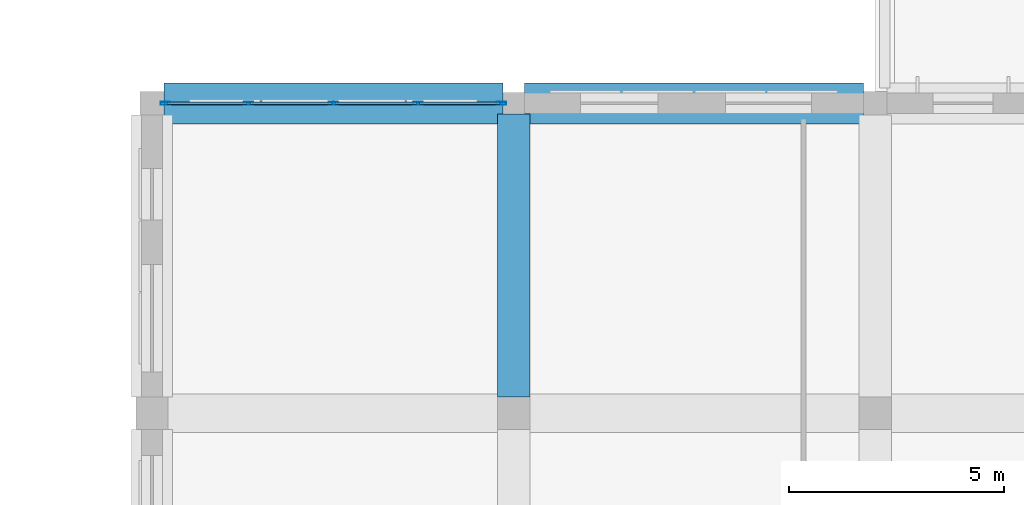
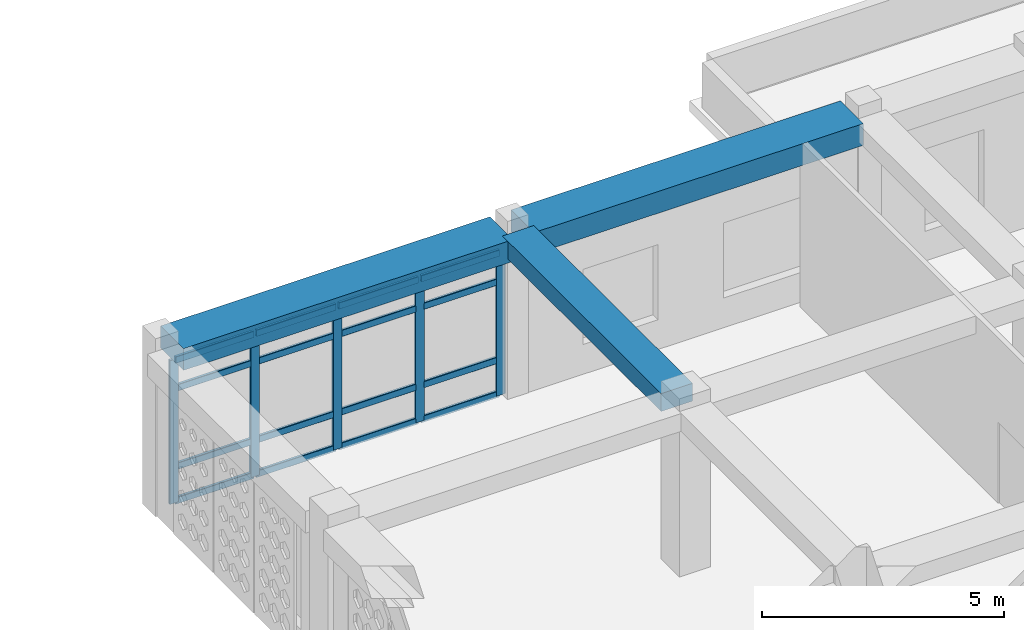
# One storey, part 35 of 111: 21 members, 3 beams, 1 element without a shape of its own.
"""IFC4 building model written with IfcOpenShell, lengths in metres."""

import ifcopenshell
import ifcopenshell.guid

model = None  # the IFC model being written
_history = None  # IfcOwnerHistory: only IFC2X3 demands one
_inside = {}  # id of a spatial element -> (the spatial element, [elements in it])
_under = {}  # id of a project, library or spatial element -> (it, [spatial elements below it])
_declared = {}  # id of a project -> (the project, [libraries it declares])
_typed = {}  # id of a type object -> (the type object, [elements of that type])
_made_of = {}  # id of a material, layer set ... -> (it, [elements and type objects made of it])


def new_model(schema):
    """Start an empty IFC model of exactly this schema.

    Asked for "IFC4X3", IfcOpenShell would pick the latest addendum, in which some entities
    have other attributes; the version numbers below select the first issue.
    IFC2X3 requires an IfcOwnerHistory on every rooted entity: one is made here for all.
    """
    global model, _history
    if schema == "IFC4X3":
        model = ifcopenshell.file(schema_version=(4, 3, 0, 0))
    else:
        model = ifcopenshell.file(schema=schema)
    _inside.clear()
    _under.clear()
    _declared.clear()
    _typed.clear()
    _made_of.clear()
    _history = None
    if model.schema == "IFC2X3":
        org = make("IfcOrganization", Name="unknown")
        user = make(
            "IfcPersonAndOrganization",
            ThePerson=make("IfcPerson", FamilyName="unknown"),
            TheOrganization=org,
        )
        app = make(
            "IfcApplication",
            ApplicationDeveloper=org,
            Version="unknown",
            ApplicationFullName="unknown",
            ApplicationIdentifier="unknown",
        )
        _history = make(
            "IfcOwnerHistory",
            OwningUser=user,
            OwningApplication=app,
            ChangeAction="ADDED",
            CreationDate=0,
        )
    return model


def make(cls, **values):
    """One entity of the class cls with the attributes given. An attribute that is None is left unset."""
    return model.create_entity(
        cls, **{name: value for name, value in values.items() if value is not None}
    )


def rooted(cls, **values):
    """An entity with a GlobalId (a new one), such as an element, a storey or a relation."""
    return make(cls, GlobalId=ifcopenshell.guid.new(), OwnerHistory=_history, **values)


def si_unit(unit_type, name, prefix=None):
    """IfcSIUnit, for example si_unit("LENGTHUNIT", "METRE", prefix="MILLI")."""
    return make("IfcSIUnit", UnitType=unit_type, Prefix=prefix, Name=name)


def derived_unit(unit_type, elements):
    """IfcDerivedUnit: a product of units, each with its exponent."""
    return make(
        "IfcDerivedUnit",
        Elements=[
            make("IfcDerivedUnitElement", Unit=unit, Exponent=power)
            for unit, power in elements
        ],
        UnitType=unit_type,
    )


def assignment(units):
    """IfcUnitAssignment: the units of a project."""
    return None if units is None else make("IfcUnitAssignment", Units=units)


def point(xyz):
    """IfcCartesianPoint."""
    return None if xyz is None else make("IfcCartesianPoint", Coordinates=xyz)


def direction(xyz):
    """IfcDirection."""
    return None if xyz is None else make("IfcDirection", DirectionRatios=xyz)


def frame(location, z_axis=None, x_axis=None):
    """IfcAxis2Placement3D, a coordinate frame: its origin and axes. An axis left out is left unset."""
    return make(
        "IfcAxis2Placement3D",
        Location=point(location),
        Axis=direction(z_axis),
        RefDirection=direction(x_axis),
    )


def frame_2d(location, x_axis=None):
    """IfcAxis2Placement2D, a coordinate frame in the plane: its origin and x axis."""
    return make(
        "IfcAxis2Placement2D", Location=point(location), RefDirection=direction(x_axis)
    )


def origin():
    """The frame at (0, 0, 0) with its axes left unset."""
    return frame((0.0, 0.0, 0.0))


def origin_2d():
    """The frame at (0, 0) in the plane with its x axis left unset."""
    return frame_2d((0.0, 0.0))


def place(relative_to, where):
    """IfcLocalPlacement: puts the frame where relative to a parent placement (None: the world)."""
    return make(
        "IfcLocalPlacement", PlacementRelTo=relative_to, RelativePlacement=where
    )


def context(
    kind, dimensions, precision=None, world=None, true_north=None, identifier=None
):
    """IfcGeometricRepresentationContext, for example the 3D "Model" context."""
    return make(
        "IfcGeometricRepresentationContext",
        ContextIdentifier=identifier,
        ContextType=kind,
        CoordinateSpaceDimension=dimensions,
        Precision=precision,
        WorldCoordinateSystem=world,
        TrueNorth=true_north,
    )


def subcontext(parent, identifier, kind, view, scale=None):
    """IfcGeometricRepresentationSubContext, for example "Body" below "Model"."""
    return make(
        "IfcGeometricRepresentationSubContext",
        ContextIdentifier=identifier,
        ContextType=kind,
        ParentContext=parent,
        TargetScale=scale,
        TargetView=view,
    )


def project(units=None, contexts=None):
    """IfcProject with its units and contexts."""
    return rooted(
        "IfcProject",
        Name="project",
        RepresentationContexts=contexts,
        UnitsInContext=assignment(units),
    )


def spatial(cls, under=None, at=None, **own):
    """A site, building, storey or space (cls), placed at a placement, below another one or the project."""
    s = rooted(cls, ObjectPlacement=at, **own)
    if under is not None:
        _under.setdefault(under.id(), (under, []))[1].append(s)
    return s


def profile(cls, at=None, kind="AREA", **sizes):
    """A parametric profile (cls). Its sizes go by their IFC names, for example OverallWidth=200.0."""
    return make(cls, ProfileType=kind, Position=at, **sizes)


def rectangle(**sizes):
    """IfcRectangleProfileDef."""
    return profile("IfcRectangleProfileDef", **sizes)


def hollow_rectangle(**sizes):
    """IfcRectangleHollowProfileDef."""
    return profile("IfcRectangleHollowProfileDef", **sizes)


def extrude(swept, where, along, depth):
    """IfcExtrudedAreaSolid: the profile swept, set in the frame where, extruded along a direction by depth."""
    return make(
        "IfcExtrudedAreaSolid",
        SweptArea=swept,
        Position=where,
        ExtrudedDirection=direction(along),
        Depth=depth,
    )


def shape(context_of_items, identifier, shape_type, items):
    """IfcShapeRepresentation: the items that make up one representation, for example the "Body"."""
    return make(
        "IfcShapeRepresentation",
        ContextOfItems=context_of_items,
        RepresentationIdentifier=identifier,
        RepresentationType=shape_type,
        Items=items,
    )


def material(Name=None, Category=None):
    """IfcMaterial."""
    return make("IfcMaterial", Name=Name, Category=Category)


def material_profile(
    of_material, cross_section, Name=None, Category=None, Priority=None
):
    """IfcMaterialProfile: a cross section and its material."""
    return make(
        "IfcMaterialProfile",
        Name=Name,
        Material=of_material,
        Profile=cross_section,
        Priority=Priority,
        Category=Category,
    )


def profile_set(profiles, Name=None, composite=None):
    """IfcMaterialProfileSet."""
    return make(
        "IfcMaterialProfileSet",
        Name=Name,
        MaterialProfiles=profiles,
        CompositeProfile=composite,
    )


def made_of(thing, what):
    """Note that an element or type object is made of a material, layer set ...; save() writes the relation."""
    if what is not None:
        _made_of.setdefault(what.id(), (what, []))[1].append(thing)
    return thing


def type_object(cls, material=None, **own):
    """A type object (cls), such as IfcWallType, which elements share."""
    return made_of(rooted(cls, **own), material)


def element(
    cls,
    number,
    at=None,
    inside=None,
    cuts=None,
    type_object=None,
    material=None,
    context=None,
    identifier="Body",
    shape_type=None,
    held_by="IfcProductDefinitionShape",
    body=None,
    shapes=None,
    **own,
):
    """One element of the class cls, such as IfcWall. Its Tag is "e" and its number.

    at: its placement. inside: the storey or other place that contains it. cuts: it is an
    opening in that element (IfcRelVoidsElement). A single representation is given by context,
    identifier, shape_type and body (its items); several are given by shapes. held_by: the class
    of the entity that holds the representations. save() writes the other relations.
    """
    e = rooted(cls, Tag="e%d" % number, ObjectPlacement=at, **own)
    if body is not None:
        shapes = [shape(context, identifier, shape_type, body)]
    if shapes is not None:
        e.Representation = make(held_by, Representations=shapes)
    if inside is not None:
        _inside.setdefault(inside.id(), (inside, []))[1].append(e)
    if cuts is not None:
        rooted(
            "IfcRelVoidsElement", RelatingBuildingElement=cuts, RelatedOpeningElement=e
        )
    if type_object is not None:
        _typed.setdefault(type_object.id(), (type_object, []))[1].append(e)
    return made_of(e, material)


def aggregate(whole, parts):
    """IfcRelAggregates: a whole, such as a stair, and the parts it consists of."""
    return rooted("IfcRelAggregates", RelatingObject=whole, RelatedObjects=parts)


def save(model, path):
    """Write the relations noted so far, then the file.

    IfcRelAggregates (storeys below a building ...), IfcRelContainedInSpatialStructure (elements
    in a storey), IfcRelDefinesByType, IfcRelAssociatesMaterial and IfcRelDeclares: one each for
    every whole, place, type object, material and project.
    """
    for whole, parts in _under.values():
        aggregate(whole, parts)
    for where, things in _inside.values():
        rooted(
            "IfcRelContainedInSpatialStructure",
            RelatedElements=things,
            RelatingStructure=where,
        )
    for kind, things in _typed.values():
        rooted("IfcRelDefinesByType", RelatedObjects=things, RelatingType=kind)
    for what, things in _made_of.values():
        rooted("IfcRelAssociatesMaterial", RelatedObjects=things, RelatingMaterial=what)
    for by, libraries in _declared.values():
        rooted("IfcRelDeclares", RelatingContext=by, RelatedDefinitions=libraries)
    model.write(path)


model = new_model("IFC4")

# Units and contexts
model_context = context("Model", 3, precision=1e-05, world=origin(), true_north=direction((0.0, 1.0)))
body_context = subcontext(model_context, "Body", "Model", "MODEL_VIEW")
ifc_project = project(units=[si_unit("LENGTHUNIT", "METRE"), si_unit("AREAUNIT", "SQUARE_METRE"), si_unit("VOLUMEUNIT", "CUBIC_METRE"), si_unit("PLANEANGLEUNIT", "RADIAN"), si_unit("MASSUNIT", "GRAM", prefix="KILO"), derived_unit("THERMALTRANSMITTANCEUNIT", [(si_unit("POWERUNIT", "WATT"), 1), (si_unit("LENGTHUNIT", "METRE"), -2), (si_unit("THERMODYNAMICTEMPERATUREUNIT", "KELVIN"), -1)])], contexts=[model_context])

# Site, building, storey
site_placement = place(None, origin())
site = spatial("IfcSite", under=ifc_project, at=site_placement, CompositionType="ELEMENT")
building_placement = place(site_placement, origin())
building = spatial("IfcBuilding", under=site, at=building_placement, Name="Veybourne Emporium", CompositionType="ELEMENT")
storey_placement = place(building_placement, frame((0.0, 0.0, 9.89990234375)))
storey = spatial("IfcBuildingStorey", under=building, at=storey_placement, Name="L02", CompositionType="ELEMENT", Elevation=9.89990234375)

# Curtain wall, members
ifc_material_1 = material(Name="Patinated Architectural Bronze", Category="bronze")
curtain_wall_type = type_object("IfcCurtainWallType", Name="CWSystem_CWS-12", PredefinedType="NOTDEFINED", material=ifc_material_1)
curtain_wall_placement = place(storey_placement, origin())
curtain_wall = element("IfcCurtainWall", 1, at=curtain_wall_placement, inside=storey, type_object=curtain_wall_type, Name="L02 bronze glazed curtain wall CWS-12 (024)", PredefinedType="NOTDEFINED")
ifc_material_profile_1 = material_profile(ifc_material_1, hollow_rectangle(XDim=0.070068359375, YDim=0.219970703125, WallThickness=0.0048828125, InnerFilletRadius=0.007568359375, OuterFilletRadius=0.012451171875, at=origin_2d()), Name="CWM 70x220x5")
ifc_profile_set_1 = profile_set([ifc_material_profile_1], Name="Patinated Architectural Bronze")
member_type_1 = type_object("IfcMemberType", Name="CWMullion_CW-M4", PredefinedType="MULLION", material=ifc_profile_set_1)
member_1_placement = place(storey_placement, frame((33.909912109375, 108.0, 0.0), z_axis=(0.0, 0.0, 1.0), x_axis=(0.0, 1.0, 0.0)))
member_1 = element("IfcMember", 2, at=member_1_placement, type_object=member_type_1, Name="CWS-12 mullion 1", PredefinedType="MULLION", context=body_context, shape_type="SweptSolid", body=[
    extrude(hollow_rectangle(XDim=0.070068359375, YDim=0.219970703125, WallThickness=0.0048828125, InnerFilletRadius=0.007568359375, OuterFilletRadius=0.012451171875, at=origin_2d()), origin(), (0.0, 0.0, 1.0), 3.630126953125),
])
member_2_placement = place(storey_placement, frame((35.84375, 108.0, 0.0), z_axis=(0.0, 0.0, 1.0), x_axis=(0.0, 1.0, 0.0)))
member_2 = element("IfcMember", 3, at=member_2_placement, type_object=member_type_1, Name="CWS-12 mullion 2", PredefinedType="MULLION", context=body_context, shape_type="SweptSolid", body=[
    extrude(hollow_rectangle(XDim=0.070068359375, YDim=0.219970703125, WallThickness=0.0048828125, InnerFilletRadius=0.007568359375, OuterFilletRadius=0.012451171875, at=origin_2d()), origin(), (0.0, 0.0, 1.0), 3.630126953125),
])
member_3_placement = place(storey_placement, frame((37.8125, 108.0, 0.0), z_axis=(0.0, 0.0, 1.0), x_axis=(0.0, 1.0, 0.0)))
member_3 = element("IfcMember", 4, at=member_3_placement, type_object=member_type_1, Name="CWS-12 mullion 3", PredefinedType="MULLION", context=body_context, shape_type="SweptSolid", body=[
    extrude(hollow_rectangle(XDim=0.070068359375, YDim=0.219970703125, WallThickness=0.0048828125, InnerFilletRadius=0.007568359375, OuterFilletRadius=0.012451171875, at=origin_2d()), origin(), (0.0, 0.0, 1.0), 3.630126953125),
])
member_4_placement = place(storey_placement, frame((39.78125, 108.0, 0.0), z_axis=(0.0, 0.0, 1.0), x_axis=(0.0, 1.0, 0.0)))
member_4 = element("IfcMember", 5, at=member_4_placement, type_object=member_type_1, Name="CWS-12 mullion 4", PredefinedType="MULLION", context=body_context, shape_type="SweptSolid", body=[
    extrude(hollow_rectangle(XDim=0.070068359375, YDim=0.219970703125, WallThickness=0.0048828125, InnerFilletRadius=0.007568359375, OuterFilletRadius=0.012451171875, at=origin_2d()), origin(), (0.0, 0.0, 1.0), 3.630126953125),
])
member_5_placement = place(storey_placement, frame((41.715087890625, 108.0, 0.0), z_axis=(0.0, 0.0, 1.0), x_axis=(0.0, 1.0, 0.0)))
member_5 = element("IfcMember", 6, at=member_5_placement, type_object=member_type_1, Name="CWS-12 mullion 5", PredefinedType="MULLION", context=body_context, shape_type="SweptSolid", body=[
    extrude(hollow_rectangle(XDim=0.070068359375, YDim=0.219970703125, WallThickness=0.0048828125, InnerFilletRadius=0.007568359375, OuterFilletRadius=0.012451171875, at=origin_2d()), origin(), (0.0, 0.0, 1.0), 3.630126953125),
])
ifc_material_profile_2 = material_profile(ifc_material_1, hollow_rectangle(XDim=0.070068359375, YDim=0.169921875, WallThickness=0.0048828125, InnerFilletRadius=0.007568359375, OuterFilletRadius=0.012451171875, at=origin_2d()), Name="CWT 70x170x5")
ifc_profile_set_2 = profile_set([ifc_material_profile_2], Name="Patinated Architectural Bronze")
member_type_2 = type_object("IfcMemberType", Name="CWTransom_CW-T4", PredefinedType="NOTDEFINED", material=ifc_profile_set_2)
member_6_placement = place(storey_placement, frame((33.945068359375, 108.0, 0.03515625), z_axis=(1.0, 0.0, 0.0), x_axis=(0.0, 1.0, 0.0)))
member_6 = element("IfcMember", 7, at=member_6_placement, type_object=member_type_2, Name="CWS-12 transom 1.1", ObjectType="TRANSOM", PredefinedType="USERDEFINED", context=body_context, shape_type="SweptSolid", body=[
    extrude(hollow_rectangle(XDim=0.070068359375, YDim=0.169921875, WallThickness=0.0048828125, InnerFilletRadius=0.007568359375, OuterFilletRadius=0.012451171875, at=origin_2d()), origin(), (0.0, 0.0, 1.0), 1.86376953125),
])
member_7_placement = place(storey_placement, frame((33.945068359375, 108.0, 0.900146484375), z_axis=(1.0, 0.0, 0.0), x_axis=(0.0, 1.0, 0.0)))
member_7 = element("IfcMember", 8, at=member_7_placement, type_object=member_type_2, Name="CWS-12 transom 1.2", ObjectType="TRANSOM", PredefinedType="USERDEFINED", context=body_context, shape_type="SweptSolid", body=[
    extrude(hollow_rectangle(XDim=0.070068359375, YDim=0.169921875, WallThickness=0.0048828125, InnerFilletRadius=0.007568359375, OuterFilletRadius=0.012451171875, at=origin_2d()), origin(), (0.0, 0.0, 1.0), 1.86376953125),
])
member_8_placement = place(storey_placement, frame((33.945068359375, 108.0, 2.880126953125), z_axis=(1.0, 0.0, 0.0), x_axis=(0.0, 1.0, 0.0)))
member_8 = element("IfcMember", 9, at=member_8_placement, type_object=member_type_2, Name="CWS-12 transom 1.3", ObjectType="TRANSOM", PredefinedType="USERDEFINED", context=body_context, shape_type="SweptSolid", body=[
    extrude(hollow_rectangle(XDim=0.070068359375, YDim=0.169921875, WallThickness=0.0048828125, InnerFilletRadius=0.007568359375, OuterFilletRadius=0.012451171875, at=origin_2d()), origin(), (0.0, 0.0, 1.0), 1.86376953125),
])
member_9_placement = place(storey_placement, frame((33.945068359375, 108.0, 3.59521484375), z_axis=(1.0, 0.0, 0.0), x_axis=(0.0, 1.0, 0.0)))
member_9 = element("IfcMember", 10, at=member_9_placement, type_object=member_type_2, Name="CWS-12 transom 1.4", ObjectType="TRANSOM", PredefinedType="USERDEFINED", context=body_context, shape_type="SweptSolid", body=[
    extrude(hollow_rectangle(XDim=0.070068359375, YDim=0.169921875, WallThickness=0.0048828125, InnerFilletRadius=0.007568359375, OuterFilletRadius=0.012451171875, at=origin_2d()), origin(), (0.0, 0.0, 1.0), 1.86376953125),
])
member_10_placement = place(storey_placement, frame((35.878662109375, 108.0, 0.03515625), z_axis=(1.0, 0.0, 0.0), x_axis=(0.0, 1.0, 0.0)))
member_10 = element("IfcMember", 11, at=member_10_placement, type_object=member_type_2, Name="CWS-12 transom 2.1", ObjectType="TRANSOM", PredefinedType="USERDEFINED", context=body_context, shape_type="SweptSolid", body=[
    extrude(hollow_rectangle(XDim=0.070068359375, YDim=0.169921875, WallThickness=0.0048828125, InnerFilletRadius=0.007568359375, OuterFilletRadius=0.012451171875, at=origin_2d()), origin(), (0.0, 0.0, 1.0), 1.89892578125),
])
member_11_placement = place(storey_placement, frame((35.878662109375, 108.0, 0.900146484375), z_axis=(1.0, 0.0, 0.0), x_axis=(0.0, 1.0, 0.0)))
member_11 = element("IfcMember", 12, at=member_11_placement, type_object=member_type_2, Name="CWS-12 transom 2.2", ObjectType="TRANSOM", PredefinedType="USERDEFINED", context=body_context, shape_type="SweptSolid", body=[
    extrude(hollow_rectangle(XDim=0.070068359375, YDim=0.169921875, WallThickness=0.0048828125, InnerFilletRadius=0.007568359375, OuterFilletRadius=0.012451171875, at=origin_2d()), origin(), (0.0, 0.0, 1.0), 1.89892578125),
])
member_12_placement = place(storey_placement, frame((35.878662109375, 108.0, 2.880126953125), z_axis=(1.0, 0.0, 0.0), x_axis=(0.0, 1.0, 0.0)))
member_12 = element("IfcMember", 13, at=member_12_placement, type_object=member_type_2, Name="CWS-12 transom 2.3", ObjectType="TRANSOM", PredefinedType="USERDEFINED", context=body_context, shape_type="SweptSolid", body=[
    extrude(hollow_rectangle(XDim=0.070068359375, YDim=0.169921875, WallThickness=0.0048828125, InnerFilletRadius=0.007568359375, OuterFilletRadius=0.012451171875, at=origin_2d()), origin(), (0.0, 0.0, 1.0), 1.89892578125),
])
member_13_placement = place(storey_placement, frame((35.878662109375, 108.0, 3.59521484375), z_axis=(1.0, 0.0, 0.0), x_axis=(0.0, 1.0, 0.0)))
member_13 = element("IfcMember", 14, at=member_13_placement, type_object=member_type_2, Name="CWS-12 transom 2.4", ObjectType="TRANSOM", PredefinedType="USERDEFINED", context=body_context, shape_type="SweptSolid", body=[
    extrude(hollow_rectangle(XDim=0.070068359375, YDim=0.169921875, WallThickness=0.0048828125, InnerFilletRadius=0.007568359375, OuterFilletRadius=0.012451171875, at=origin_2d()), origin(), (0.0, 0.0, 1.0), 1.89892578125),
])
member_14_placement = place(storey_placement, frame((37.847412109375, 108.0, 0.03515625), z_axis=(1.0, 0.0, 0.0), x_axis=(0.0, 1.0, 0.0)))
member_14 = element("IfcMember", 15, at=member_14_placement, type_object=member_type_2, Name="CWS-12 transom 3.1", ObjectType="TRANSOM", PredefinedType="USERDEFINED", context=body_context, shape_type="SweptSolid", body=[
    extrude(hollow_rectangle(XDim=0.070068359375, YDim=0.169921875, WallThickness=0.0048828125, InnerFilletRadius=0.007568359375, OuterFilletRadius=0.012451171875, at=origin_2d()), origin(), (0.0, 0.0, 1.0), 1.89892578125),
])
member_15_placement = place(storey_placement, frame((37.847412109375, 108.0, 0.900146484375), z_axis=(1.0, 0.0, 0.0), x_axis=(0.0, 1.0, 0.0)))
member_15 = element("IfcMember", 16, at=member_15_placement, type_object=member_type_2, Name="CWS-12 transom 3.2", ObjectType="TRANSOM", PredefinedType="USERDEFINED", context=body_context, shape_type="SweptSolid", body=[
    extrude(hollow_rectangle(XDim=0.070068359375, YDim=0.169921875, WallThickness=0.0048828125, InnerFilletRadius=0.007568359375, OuterFilletRadius=0.012451171875, at=origin_2d()), origin(), (0.0, 0.0, 1.0), 1.89892578125),
])
member_16_placement = place(storey_placement, frame((37.847412109375, 108.0, 2.880126953125), z_axis=(1.0, 0.0, 0.0), x_axis=(0.0, 1.0, 0.0)))
member_16 = element("IfcMember", 17, at=member_16_placement, type_object=member_type_2, Name="CWS-12 transom 3.3", ObjectType="TRANSOM", PredefinedType="USERDEFINED", context=body_context, shape_type="SweptSolid", body=[
    extrude(hollow_rectangle(XDim=0.070068359375, YDim=0.169921875, WallThickness=0.0048828125, InnerFilletRadius=0.007568359375, OuterFilletRadius=0.012451171875, at=origin_2d()), origin(), (0.0, 0.0, 1.0), 1.89892578125),
])
member_17_placement = place(storey_placement, frame((37.847412109375, 108.0, 3.59521484375), z_axis=(1.0, 0.0, 0.0), x_axis=(0.0, 1.0, 0.0)))
member_17 = element("IfcMember", 18, at=member_17_placement, type_object=member_type_2, Name="CWS-12 transom 3.4", ObjectType="TRANSOM", PredefinedType="USERDEFINED", context=body_context, shape_type="SweptSolid", body=[
    extrude(hollow_rectangle(XDim=0.070068359375, YDim=0.169921875, WallThickness=0.0048828125, InnerFilletRadius=0.007568359375, OuterFilletRadius=0.012451171875, at=origin_2d()), origin(), (0.0, 0.0, 1.0), 1.89892578125),
])
member_18_placement = place(storey_placement, frame((39.816162109375, 108.0, 0.03515625), z_axis=(1.0, 0.0, 0.0), x_axis=(0.0, 1.0, 0.0)))
member_18 = element("IfcMember", 19, at=member_18_placement, type_object=member_type_2, Name="CWS-12 transom 4.1", ObjectType="TRANSOM", PredefinedType="USERDEFINED", context=body_context, shape_type="SweptSolid", body=[
    extrude(hollow_rectangle(XDim=0.070068359375, YDim=0.169921875, WallThickness=0.0048828125, InnerFilletRadius=0.007568359375, OuterFilletRadius=0.012451171875, at=origin_2d()), origin(), (0.0, 0.0, 1.0), 1.86376953125),
])
member_19_placement = place(storey_placement, frame((39.816162109375, 108.0, 0.900146484375), z_axis=(1.0, 0.0, 0.0), x_axis=(0.0, 1.0, 0.0)))
member_19 = element("IfcMember", 20, at=member_19_placement, type_object=member_type_2, Name="CWS-12 transom 4.2", ObjectType="TRANSOM", PredefinedType="USERDEFINED", context=body_context, shape_type="SweptSolid", body=[
    extrude(hollow_rectangle(XDim=0.070068359375, YDim=0.169921875, WallThickness=0.0048828125, InnerFilletRadius=0.007568359375, OuterFilletRadius=0.012451171875, at=origin_2d()), origin(), (0.0, 0.0, 1.0), 1.86376953125),
])
member_20_placement = place(storey_placement, frame((39.816162109375, 108.0, 2.880126953125), z_axis=(1.0, 0.0, 0.0), x_axis=(0.0, 1.0, 0.0)))
member_20 = element("IfcMember", 21, at=member_20_placement, type_object=member_type_2, Name="CWS-12 transom 4.3", ObjectType="TRANSOM", PredefinedType="USERDEFINED", context=body_context, shape_type="SweptSolid", body=[
    extrude(hollow_rectangle(XDim=0.070068359375, YDim=0.169921875, WallThickness=0.0048828125, InnerFilletRadius=0.007568359375, OuterFilletRadius=0.012451171875, at=origin_2d()), origin(), (0.0, 0.0, 1.0), 1.86376953125),
])
member_21_placement = place(storey_placement, frame((39.816162109375, 108.0, 3.59521484375), z_axis=(1.0, 0.0, 0.0), x_axis=(0.0, 1.0, 0.0)))
member_21 = element("IfcMember", 22, at=member_21_placement, type_object=member_type_2, Name="CWS-12 transom 4.4", ObjectType="TRANSOM", PredefinedType="USERDEFINED", context=body_context, shape_type="SweptSolid", body=[
    extrude(hollow_rectangle(XDim=0.070068359375, YDim=0.169921875, WallThickness=0.0048828125, InnerFilletRadius=0.007568359375, OuterFilletRadius=0.012451171875, at=origin_2d()), origin(), (0.0, 0.0, 1.0), 1.86376953125),
])
aggregate(curtain_wall, [member_1, member_2, member_3, member_4, member_5, member_6, member_7, member_8, member_9, member_10, member_11, member_12, member_13, member_14, member_15, member_16, member_17, member_18, member_19, member_20, member_21])

# Beams
ifc_material_2 = material(Name="Concrete C32/40", Category="concrete")
ifc_material_profile_3 = material_profile(ifc_material_2, rectangle(XDim=0.75, YDim=0.449951171875, at=origin_2d()), Name="RC 750x450")
ifc_profile_set_3 = profile_set([ifc_material_profile_3], Name="Concrete C32/40")
beam_type_1 = type_object("IfcBeamType", Name="RCBeam_BB-04", PredefinedType="BEAM", material=ifc_profile_set_3)
beam_placement = place(storey_placement, frame((42.0, 101.175048828125, 3.955078125), z_axis=(0.0, 1.0, 0.0), x_axis=(-1.0, 0.0, 0.0)))
element("IfcBeam", 23, at=beam_placement, inside=storey, type_object=beam_type_1, Name="L02 Y-grid beam BB-04 (5,14)", PredefinedType="BEAM", context=body_context, shape_type="SweptSolid", body=[
    extrude(rectangle(XDim=0.75, YDim=0.449951171875, at=origin_2d()), origin(), (0.0, 0.0, 1.0), 6.574951171875),
])
ifc_material_profile_4 = material_profile(ifc_material_2, rectangle(XDim=0.949951171875, YDim=0.550048828125, at=origin_2d()), Name="RC 950x550")
ifc_profile_set_4 = profile_set([ifc_material_profile_4], Name="Concrete C32/40")
beam_type_2 = type_object("IfcBeamType", Name="RCBeam_EB-01", PredefinedType="SPANDREL", material=ifc_profile_set_4)
for number, where, z_axis, x_axis, name in (
    (24, (33.875, 108.0, 3.905029296875), (1.0, 0.0, 0.0), (0.0, 1.0, 0.0), "L02 X-grid beam EB-01 (4,15)"),
    (25, (42.25, 108.0, 3.905029296875), (1.0, 0.0, 0.0), (0.0, 1.0, 0.0), "L02 X-grid beam EB-01 (5,15)"),
):
    element("IfcBeam", number, at=place(storey_placement, frame(where, z_axis=z_axis, x_axis=x_axis)), inside=storey, type_object=beam_type_2, Name=name, PredefinedType="SPANDREL", context=body_context, shape_type="SweptSolid", body=[
        extrude(rectangle(XDim=0.949951171875, YDim=0.550048828125, at=origin_2d()), origin(), (0.0, 0.0, 1.0), 7.875),
    ])

save(model, "model.ifc")
